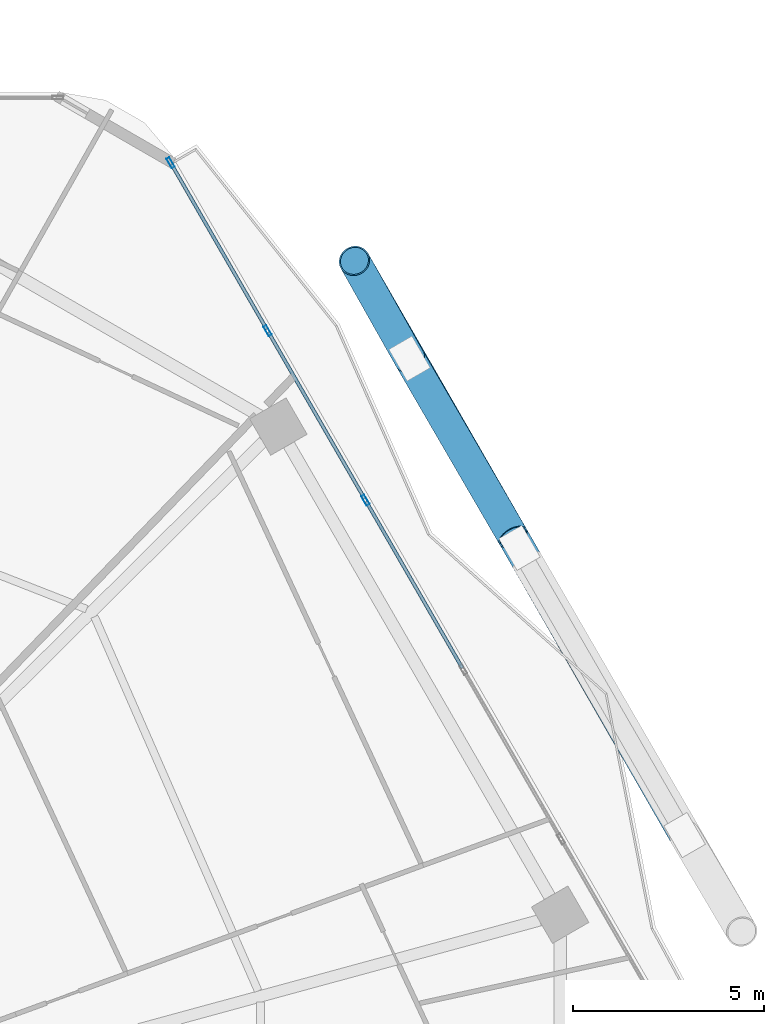
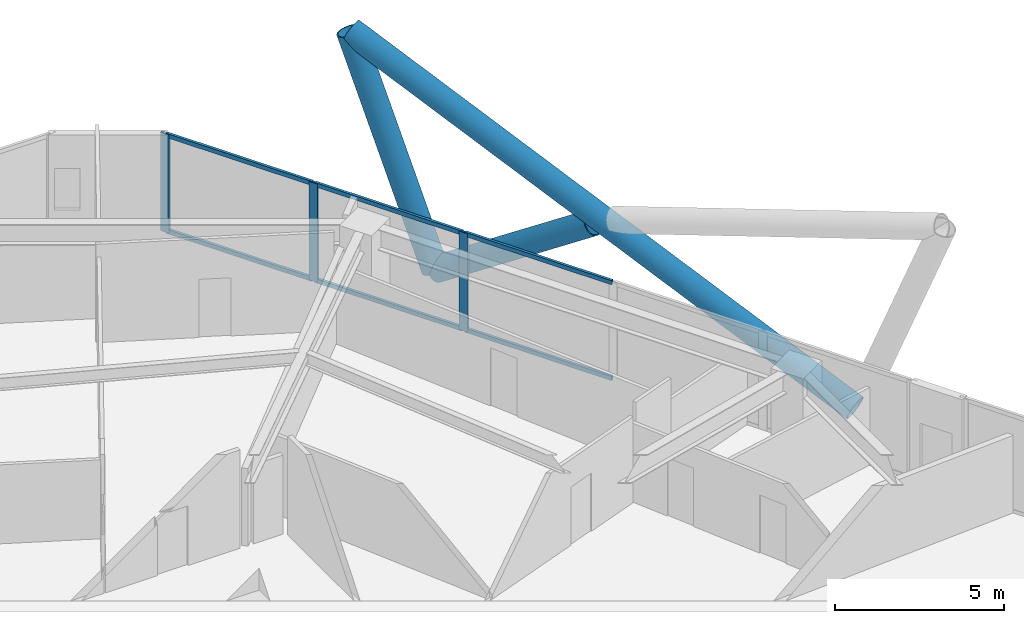
# One storey, part 23 of 34: 12 members, 1 element without a shape of its own.
"""IFC4 building model written with IfcOpenShell, lengths in metres."""

from ifc_helpers import new_model, si_unit, direction, frame, origin, origin_2d, place, context, subcontext, project, spatial, hollow_rectangle, hollow_circle, extrude, material, material_profile, profile_set, type_object, element, aggregate, save


model = new_model("IFC4")

# Units and contexts
model_context = context("Model", 3, precision=1e-05, world=origin(), true_north=direction((0.0, 1.0)))
body_context = subcontext(model_context, "Body", "Model", "MODEL_VIEW")
ifc_project = project(units=[si_unit("LENGTHUNIT", "METRE"), si_unit("AREAUNIT", "SQUARE_METRE"), si_unit("VOLUMEUNIT", "CUBIC_METRE"), si_unit("PLANEANGLEUNIT", "RADIAN"), si_unit("MASSUNIT", "GRAM", prefix="KILO")], contexts=[model_context])

# Site, building, storey
site_placement = place(None, origin())
site = spatial("IfcSite", under=ifc_project, at=site_placement, CompositionType="ELEMENT")
building_placement = place(site_placement, origin())
building = spatial("IfcBuilding", under=site, at=building_placement, Name="Zuhravey Tower", CompositionType="ELEMENT")
storey_placement = place(building_placement, frame((0.0, 0.0, 100.0)))
storey = spatial("IfcBuildingStorey", under=building, at=storey_placement, Name="L24", CompositionType="ELEMENT", Elevation=100.0)

# Curtain wall, members
ifc_material_1 = material(Name="Thermally broken anodised aluminium", Category="aluminium")
curtain_wall_type = type_object("IfcCurtainWallType", Name="Zone 1-2 Residential Curtain Wall CW3", PredefinedType="NOTDEFINED", material=ifc_material_1)
curtain_wall_placement = place(storey_placement, origin())
curtain_wall = element("IfcCurtainWall", 1, at=curtain_wall_placement, inside=storey, type_object=curtain_wall_type, Name="L24 CW3 CW-L24-F1-1", PredefinedType="NOTDEFINED")
ifc_material_2 = material(Name="Anodised aluminium", Category="aluminium")
ifc_material_profile_1 = material_profile(ifc_material_2, hollow_rectangle(XDim=0.090087890625, YDim=0.284912109375, WallThickness=0.0048828125, at=origin_2d()), Name="ALU-RHS-90x285x5")
ifc_profile_set_1 = profile_set([ifc_material_profile_1], Name="Anodised aluminium")
member_type_1 = type_object("IfcMemberType", Name="Curtain-Wall Mullion 90x180", PredefinedType="MULLION", material=ifc_profile_set_1)
member_1_placement = place(storey_placement, frame((53.701416015625, 59.257080078125, 0.0), z_axis=(0.0, 0.0, 1.0), x_axis=(0.866025776316, 0.499999354756, 0.0)))
member_1 = element("IfcMember", 2, at=member_1_placement, type_object=member_type_1, Name="CW3 mullion 1", PredefinedType="MULLION", context=body_context, shape_type="SweptSolid", body=[
    extrude(hollow_rectangle(XDim=0.090087890625, YDim=0.284912109375, WallThickness=0.0048828125, at=origin_2d()), origin(), (0.0, 0.0, 1.0), 3.550048828125),
])
member_2_placement = place(storey_placement, frame((56.2373046875, 54.864990234375, 0.0), z_axis=(0.0, 0.0, 1.0), x_axis=(0.866025776316, 0.499999354756, 0.0)))
member_2 = element("IfcMember", 3, at=member_2_placement, type_object=member_type_1, Name="CW3 mullion 2", PredefinedType="MULLION", context=body_context, shape_type="SweptSolid", body=[
    extrude(hollow_rectangle(XDim=0.090087890625, YDim=0.284912109375, WallThickness=0.0048828125, at=origin_2d()), origin(), (0.0, 0.0, 1.0), 3.550048828125),
])
member_3_placement = place(storey_placement, frame((58.79541015625, 50.43408203125, 0.0), z_axis=(0.0, 0.0, 1.0), x_axis=(0.866025776316, 0.499999354756, 0.0)))
member_3 = element("IfcMember", 4, at=member_3_placement, type_object=member_type_1, Name="CW3 mullion 3", PredefinedType="MULLION", context=body_context, shape_type="SweptSolid", body=[
    extrude(hollow_rectangle(XDim=0.090087890625, YDim=0.284912109375, WallThickness=0.0048828125, at=origin_2d()), origin(), (0.0, 0.0, 1.0), 3.550048828125),
])
ifc_material_profile_2 = material_profile(ifc_material_2, hollow_rectangle(XDim=0.090087890625, YDim=0.14990234375, WallThickness=0.0048828125, at=origin_2d()), Name="ALU-RHS-90x150x5")
ifc_profile_set_2 = profile_set([ifc_material_profile_2], Name="Anodised aluminium")
member_type_2 = type_object("IfcMemberType", Name="Curtain-Wall Transom 90x150", PredefinedType="USERDEFINED", material=ifc_profile_set_2)
member_4_placement = place(storey_placement, frame((53.72412109375, 59.218017578125, 0.044921875), z_axis=(0.499971355037, -0.86604194133, 0.0), x_axis=(0.86604194133, 0.499971355037, 0.0)))
member_4 = element("IfcMember", 5, at=member_4_placement, type_object=member_type_2, Name="CW3 transom 1.1", ObjectType="TRANSOM", PredefinedType="USERDEFINED", context=body_context, shape_type="SweptSolid", body=[
    extrude(hollow_rectangle(XDim=0.090087890625, YDim=0.14990234375, WallThickness=0.0048828125, at=origin_2d()), origin(), (0.0, 0.0, 1.0), 4.981201171875),
])
member_5_placement = place(storey_placement, frame((53.72412109375, 59.218017578125, 3.5048828125), z_axis=(0.499971355037, -0.86604194133, 0.0), x_axis=(0.86604194133, 0.499971355037, 0.0)))
member_5 = element("IfcMember", 6, at=member_5_placement, type_object=member_type_2, Name="CW3 transom 1.2", ObjectType="TRANSOM", PredefinedType="USERDEFINED", context=body_context, shape_type="SweptSolid", body=[
    extrude(hollow_rectangle(XDim=0.090087890625, YDim=0.14990234375, WallThickness=0.0048828125, at=origin_2d()), origin(), (0.0, 0.0, 1.0), 4.981201171875),
])
member_6_placement = place(storey_placement, frame((56.259765625, 54.826171875, 0.044921875), z_axis=(0.499994342644, -0.866028670036, 0.0), x_axis=(0.866028670036, 0.499994342644, 0.0)))
member_6 = element("IfcMember", 7, at=member_6_placement, type_object=member_type_2, Name="CW3 transom 2.1", ObjectType="TRANSOM", PredefinedType="USERDEFINED", context=body_context, shape_type="SweptSolid", body=[
    extrude(hollow_rectangle(XDim=0.090087890625, YDim=0.14990234375, WallThickness=0.0048828125, at=origin_2d()), origin(), (0.0, 0.0, 1.0), 5.0263671875),
])
member_7_placement = place(storey_placement, frame((56.259765625, 54.826171875, 3.5048828125), z_axis=(0.499994342644, -0.866028670036, 0.0), x_axis=(0.866028670036, 0.499994342644, 0.0)))
member_7 = element("IfcMember", 8, at=member_7_placement, type_object=member_type_2, Name="CW3 transom 2.2", ObjectType="TRANSOM", PredefinedType="USERDEFINED", context=body_context, shape_type="SweptSolid", body=[
    extrude(hollow_rectangle(XDim=0.090087890625, YDim=0.14990234375, WallThickness=0.0048828125, at=origin_2d()), origin(), (0.0, 0.0, 1.0), 5.0263671875),
])
member_8_placement = place(storey_placement, frame((58.81787109375, 50.395263671875, 0.044921875), z_axis=(0.499994342644, -0.866028670036, 0.0), x_axis=(0.866028670036, 0.499994342644, 0.0)))
member_8 = element("IfcMember", 9, at=member_8_placement, type_object=member_type_2, Name="CW3 transom 3.1", ObjectType="TRANSOM", PredefinedType="USERDEFINED", context=body_context, shape_type="SweptSolid", body=[
    extrude(hollow_rectangle(XDim=0.090087890625, YDim=0.14990234375, WallThickness=0.0048828125, at=origin_2d()), origin(), (0.0, 0.0, 1.0), 5.0263671875),
])
member_9_placement = place(storey_placement, frame((58.81787109375, 50.395263671875, 3.5048828125), z_axis=(0.499994342644, -0.866028670036, 0.0), x_axis=(0.866028670036, 0.499994342644, 0.0)))
member_9 = element("IfcMember", 10, at=member_9_placement, type_object=member_type_2, Name="CW3 transom 3.2", ObjectType="TRANSOM", PredefinedType="USERDEFINED", context=body_context, shape_type="SweptSolid", body=[
    extrude(hollow_rectangle(XDim=0.090087890625, YDim=0.14990234375, WallThickness=0.0048828125, at=origin_2d()), origin(), (0.0, 0.0, 1.0), 5.0263671875),
])
aggregate(curtain_wall, [member_1, member_2, member_3, member_4, member_5, member_6, member_7, member_8, member_9])

# Members
ifc_material_3 = material(Name="Steel SM460", Category="steel")
ifc_material_profile_3 = material_profile(ifc_material_3, hollow_circle(Radius=0.406494140625, WallThickness=0.035888671875, at=origin_2d()), Name="CHS-812.8x36")
ifc_profile_set_3 = profile_set([ifc_material_profile_3], Name="Steel SM460")
member_type_3 = type_object("IfcMemberType", Name="Exoskeleton Zone 1 Diagrid CHS813x36", PredefinedType="BRACE", material=ifc_profile_set_3)
member_10_placement = place(storey_placement, frame((67.118896484375, 41.7177734375, -0.44189453125), z_axis=(-0.456534696323, 0.793907374673, 0.40160571646), x_axis=(-0.866888392949, -0.498502270978, 0.0)))
element("IfcMember", 11, at=member_10_placement, inside=storey, type_object=member_type_3, Name="L24 Face 1 Diagrid Brace 2", PredefinedType="BRACE", context=body_context, shape_type="SweptSolid", body=[
    extrude(hollow_circle(Radius=0.406494140625, WallThickness=0.035888671875, at=origin_2d()), origin(), (0.0, 0.0, 1.0), 18.814208984375),
])
member_11_placement = place(storey_placement, frame((59.94580078125, 54.1416015625, -0.44189453125), z_axis=(-0.177348692766, 0.314593561191, 0.93251184037), x_axis=(-0.871113923264, -0.491080983846, 0.0)))
element("IfcMember", 12, at=member_11_placement, inside=storey, type_object=member_type_3, Name="L24 Face 1 Diagrid Brace 4", PredefinedType="BRACE", context=body_context, shape_type="SweptSolid", body=[
    extrude(hollow_circle(Radius=0.406494140625, WallThickness=0.035888671875, at=origin_2d()), origin(), (0.0, 0.0, 1.0), 8.102783203125),
])
member_12_placement = place(storey_placement, frame((59.972900390625, 54.0947265625, -0.43359375), z_axis=(0.418415666414, -0.720349037114, 0.553195801527), x_axis=(0.864711536908, 0.502268810438, 0.0)))
element("IfcMember", 13, at=member_12_placement, inside=storey, type_object=member_type_3, Name="L24 Face 1 Split Diagrid Brace 3A", PredefinedType="BRACE", context=body_context, shape_type="SweptSolid", body=[
    extrude(hollow_circle(Radius=0.406494140625, WallThickness=0.035888671875, at=origin_2d()), origin(), (0.0, 0.0, 1.0), 6.417724609375),
])

save(model, "model.ifc")
